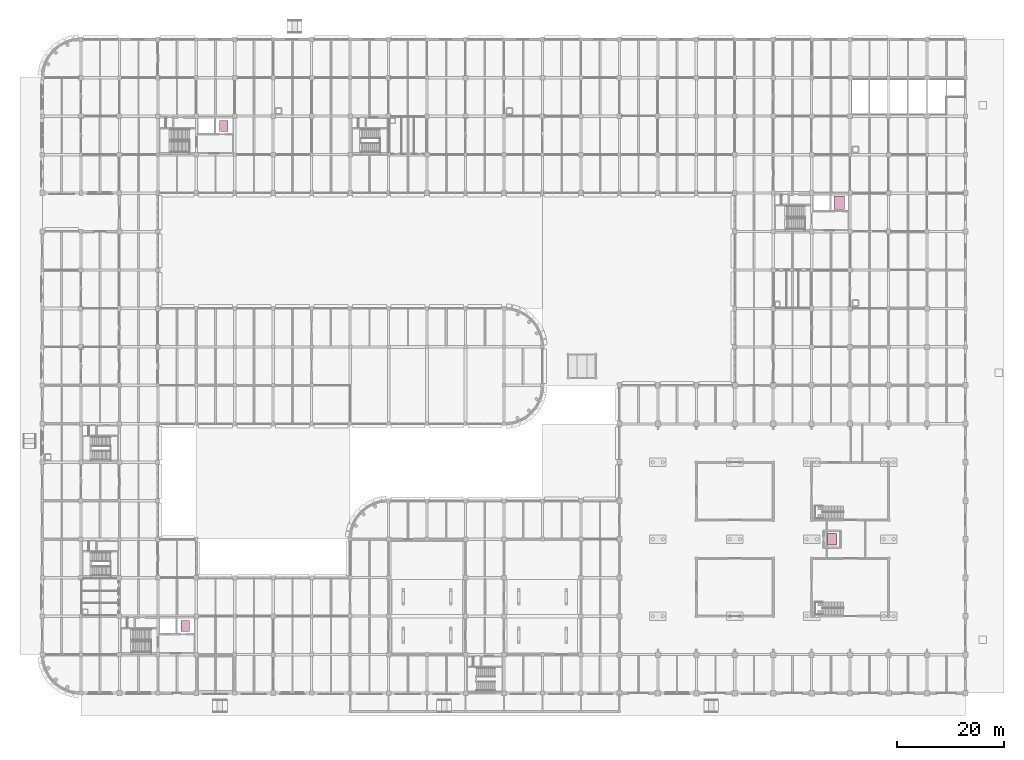
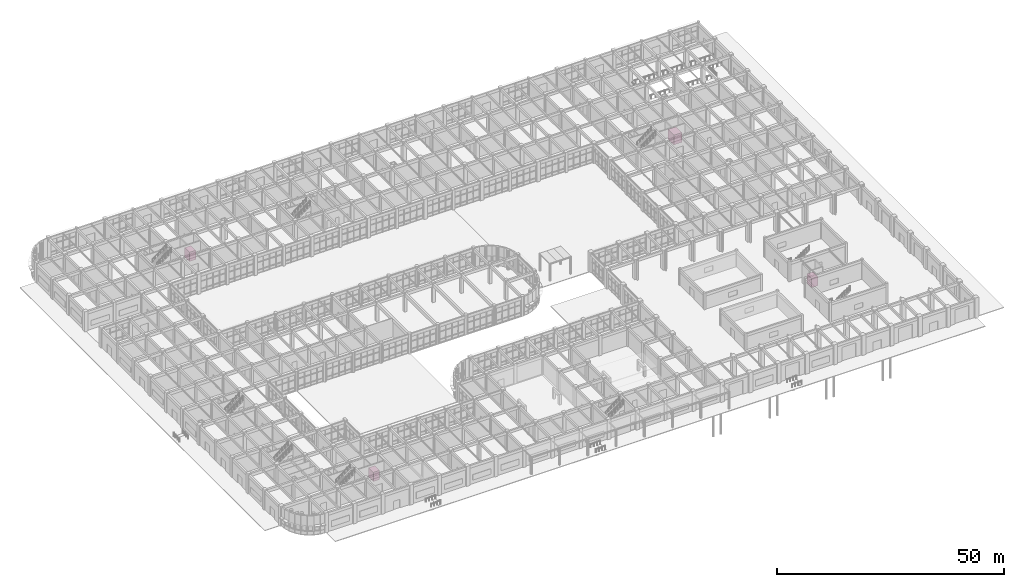
# One storey, part 160 of 160: 4 transport elements.
"""IFC4 building model written with IfcOpenShell, lengths in metres."""

from ifc_helpers import new_model, si_unit, direction, frame, origin, origin_2d, place, context, subcontext, project, spatial, rectangle, extrude, material, type_object, element, save


model = new_model("IFC4")

# Units and contexts
model_context = context("Model", 3, precision=1e-05, world=origin(), true_north=direction((0.0, 1.0)))
body_context = subcontext(model_context, "Body", "Model", "MODEL_VIEW")
ifc_project = project(units=[si_unit("LENGTHUNIT", "METRE"), si_unit("AREAUNIT", "SQUARE_METRE"), si_unit("VOLUMEUNIT", "CUBIC_METRE"), si_unit("PLANEANGLEUNIT", "RADIAN"), si_unit("MASSUNIT", "GRAM", prefix="KILO")], contexts=[model_context])

# Site, building, storey
site_placement = place(None, origin())
site = spatial("IfcSite", under=ifc_project, at=site_placement, CompositionType="ELEMENT")
building_placement = place(site_placement, origin())
building = spatial("IfcBuilding", under=site, at=building_placement, Name="Thalmaran Polytechnic", CompositionType="ELEMENT")
storey_placement = place(building_placement, origin())
storey = spatial("IfcBuildingStorey", under=building, at=storey_placement, Name="L00", CompositionType="ELEMENT", Elevation=0.0)

# Transport elements
ifc_material_1 = material(Name="Heavy-duty stainless steel goods lift cab", Category="steel")
transport_element_type_1 = type_object("IfcTransportElementType", Name="LF-GD01", PredefinedType="ELEVATOR", material=ifc_material_1)
transport_element_placement = place(storey_placement, frame((149.14990234375, 91.800048828125, 0.0), z_axis=(0.0, 0.0, 1.0), x_axis=(1.0, 0.0, 0.0)))
element("IfcTransportElement", 1, at=transport_element_placement, inside=storey, type_object=transport_element_type_1, Name="Goods Lift GL-01", PredefinedType="ELEVATOR", context=body_context, shape_type="SweptSolid", body=[
    extrude(rectangle(XDim=2.0, YDim=2.60009765625, at=origin_2d()), origin(), (0.0, 0.0, 1.0), 2.60009765625),
])
ifc_material_2 = material(Name="Brushed stainless steel lift cab", Category="steel")
transport_element_type_2 = type_object("IfcTransportElementType", Name="LF-PA01", PredefinedType="ELEVATOR", material=ifc_material_2)
for number, where, z_axis, x_axis, name in (
    (2, (26.75, 12.550048828125, 0.0), (0.0, 0.0, 1.0), (1.0, 0.0, 0.0), "Passenger Lift PL-01"),
    (3, (33.949951171875, 106.14990234375, 0.0), (0.0, 0.0, 1.0), (1.0, 0.0, 0.0), "Passenger Lift PL-03"),
    (4, (147.800048828125, 28.800048828125, 0.0), (0.0, 0.0, 1.0), (1.0, 0.0, 0.0), "Workshop Pod Accessible Passenger Lift L-POD1"),
):
    element("IfcTransportElement", number, at=place(storey_placement, frame(where, z_axis=z_axis, x_axis=x_axis)), inside=storey, type_object=transport_element_type_2, Name=name, PredefinedType="ELEVATOR", context=body_context, shape_type="SweptSolid", body=[
        extrude(rectangle(XDim=1.60009765625, YDim=2.10009765625, at=origin_2d()), origin(), (0.0, 0.0, 1.0), 2.449951171875),
    ])

save(model, "model.ifc")
